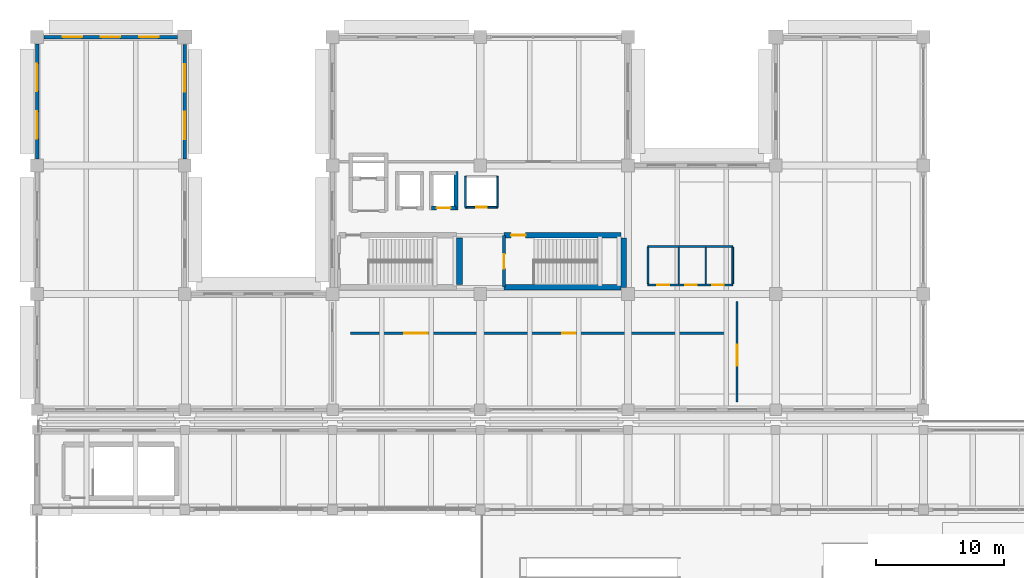
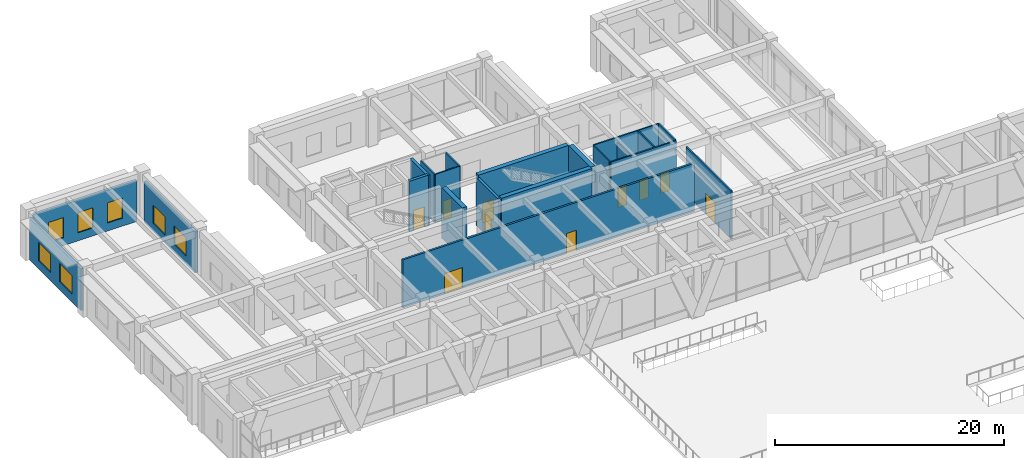
# One storey, part 128 of 148: 21 walls, 10 doors, 7 windows, 17 openings.
"""IFC4 building model written with IfcOpenShell, lengths in metres."""

from ifc_helpers import new_model, si_unit, direction, frame, frame_2d, origin, place, context, subcontext, project, spatial, rectangle, extrude, material, layer, layer_set, type_object, element, fill, save


model = new_model("IFC4")

# Units and contexts
model_context = context("Model", 3, precision=1e-05, world=origin(), true_north=direction((0.0, 1.0)))
body_context = subcontext(model_context, "Body", "Model", "MODEL_VIEW")
ifc_project = project(units=[si_unit("LENGTHUNIT", "METRE"), si_unit("AREAUNIT", "SQUARE_METRE"), si_unit("VOLUMEUNIT", "CUBIC_METRE"), si_unit("PLANEANGLEUNIT", "RADIAN"), si_unit("MASSUNIT", "GRAM", prefix="KILO")], contexts=[model_context])

# Site, building, storey
site_placement = place(None, origin())
site = spatial("IfcSite", under=ifc_project, at=site_placement, CompositionType="ELEMENT")
building_placement = place(site_placement, origin())
building = spatial("IfcBuilding", under=site, at=building_placement, Name="Ologun Quay Terminus", CompositionType="ELEMENT")
storey_placement = place(building_placement, frame((0.0, 0.0, 8.39990234375)))
storey = spatial("IfcBuildingStorey", under=building, at=storey_placement, Name="L02", CompositionType="ELEMENT", Elevation=8.39990234375)

# Wall, opening, door
ifc_material_1 = material(Name="Gypsum Acoustic Stud")
ifc_layer_1 = layer(ifc_material_1, 0.14990234375)
ifc_layer_set_1 = layer_set([ifc_layer_1], Name="Gypsum Acoustic Stud")
wall_type_1 = type_object("IfcWallType", Name="Community & Reading Room Partition 150", PredefinedType="PARTITIONING", material=ifc_layer_set_1)
wall_1_placement = place(storey_placement, frame((54.5, 86.39990234375, 0.0), z_axis=(0.0, 0.0, 1.0), x_axis=(0.0, 1.0, 0.0)))
wall_1 = element("IfcWall", 1, at=wall_1_placement, inside=storey, type_object=wall_type_1, Name="PW-05 Partition L02-CommHall-W", PredefinedType="PARTITIONING", context=body_context, shape_type="SweptSolid", body=[
    extrude(rectangle(XDim=7.800048828125, YDim=0.14990234375, at=frame_2d((3.89990234375, 0.0))), origin(), (0.0, 0.0, 1.0), 5.1201171875),
])
opening_1_placement = place(wall_1_placement, frame((2.800048828125, 0.0, 0.0)))
opening_1 = element("IfcOpeningElement", 2, at=opening_1_placement, cuts=wall_1, Name="Opening ID-316", PredefinedType="OPENING", context=body_context, shape_type="SweptSolid", body=[
    extrude(rectangle(XDim=1.64990234375, YDim=2.199951171875, at=frame_2d((0.824951171875, 1.10009765625))), frame((0.0, 0.0849609375, 0.0), z_axis=(0.0, -1.0, 0.0), x_axis=(1.0, 0.0, 0.0)), (0.0, 0.0, 1.0), 0.169921875),
])
ifc_material_2 = material(Name="Timber Hardwood", Category="wood")
door_type_1 = type_object("IfcDoorType", Name="Community Meeting Double Door 1650x2200", OperationType="DOUBLE_DOOR_SINGLE_SWING", PredefinedType="DOOR", material=ifc_material_2)
door_1_placement = place(opening_1_placement, origin())
door_1 = element("IfcDoor", 3, at=door_1_placement, inside=storey, type_object=door_type_1, Name="ID-03 Door ID-316", OperationType="DOUBLE_DOOR_SINGLE_SWING", OverallHeight=2.199951171875, OverallWidth=1.64990234375, PredefinedType="DOOR", context=body_context, shape_type="SweptSolid", body=[
    extrude(rectangle(XDim=1.64990234375, YDim=2.199951171875, at=frame_2d((0.824951171875, 1.10009765625))), frame((0.0, 0.02490234375, 0.0), z_axis=(0.0, -1.0, 0.0), x_axis=(1.0, 0.0, 0.0)), (0.0, 0.0, 1.0), 0.050048828125),
])
fill(opening_1, door_1)

# Wall, openings, doors
ifc_material_3 = material(Name="Concrete C40/50", Category="concrete")
ifc_layer_2 = layer(ifc_material_3, 0.199951171875)
ifc_layer_set_2 = layer_set([ifc_layer_2], Name="Concrete C40/50")
wall_type_2 = type_object("IfcWallType", Name="Corridor Fire-Rated Partition 200", PredefinedType="PARTITIONING", material=ifc_layer_set_2)
wall_2_placement = place(storey_placement, frame((24.39990234375, 91.75, 0.0), z_axis=(0.0, 0.0, 1.0), x_axis=(1.0, 0.0, 0.0)))
wall_2 = element("IfcWall", 4, at=wall_2_placement, inside=storey, type_object=wall_type_2, Name="PW-02 Partition WCor-S", PredefinedType="PARTITIONING", context=body_context, shape_type="SweptSolid", body=[
    extrude(rectangle(XDim=29.400146484375, YDim=0.199951171875, at=frame_2d((14.7001953125, 0.0))), origin(), (0.0, 0.0, 1.0), 5.1201171875),
])
opening_2_placement = place(wall_2_placement, frame((4.199951171875, 0.0, 0.0)))
opening_2 = element("IfcOpeningElement", 5, at=opening_2_placement, cuts=wall_2, Name="Opening ID-119", PredefinedType="OPENING", context=body_context, shape_type="SweptSolid", body=[
    extrude(rectangle(XDim=1.800048828125, YDim=2.199951171875, at=frame_2d((0.89990234375, 1.10009765625))), frame((0.0, 0.10986328125, 0.0), z_axis=(0.0, -1.0, 0.0), x_axis=(1.0, 0.0, 0.0)), (0.0, 0.0, 1.0), 0.219970703125),
])
opening_3_placement = place(wall_2_placement, frame((16.5, 0.0, 0.0)))
opening_3 = element("IfcOpeningElement", 6, at=opening_3_placement, cuts=wall_2, Name="Opening ID-120", PredefinedType="OPENING", context=body_context, shape_type="SweptSolid", body=[
    extrude(rectangle(XDim=0.97998046875, YDim=2.14990234375, at=frame_2d((0.489990234375, 1.074951171875))), frame((0.0, 0.10986328125, 0.0), z_axis=(0.0, -1.0, 0.0), x_axis=(1.0, 0.0, 0.0)), (0.0, 0.0, 1.0), 0.219970703125),
])
ifc_material_4 = material(Name="Steel S355", Category="steel")
door_type_2 = type_object("IfcDoorType", Name="Corridor Compartment Pair 1800x2200", OperationType="DOUBLE_DOOR_SINGLE_SWING", PredefinedType="DOOR", material=ifc_material_4)
door_2_placement = place(opening_2_placement, origin())
door_2 = element("IfcDoor", 7, at=door_2_placement, inside=storey, type_object=door_type_2, Name="FD-03 Door ID-119", OperationType="DOUBLE_DOOR_SINGLE_SWING", OverallHeight=2.199951171875, OverallWidth=1.800048828125, PredefinedType="DOOR", context=body_context, shape_type="SweptSolid", body=[
    extrude(rectangle(XDim=1.800048828125, YDim=2.199951171875, at=frame_2d((0.89990234375, 1.10009765625))), frame((0.0, 0.02490234375, 0.0), z_axis=(0.0, -1.0, 0.0), x_axis=(1.0, 0.0, 0.0)), (0.0, 0.0, 1.0), 0.050048828125),
])
fill(opening_2, door_2)
ifc_material_5 = material(Name="Timber Hardwood", Category="wood")
door_type_3 = type_object("IfcDoorType", Name="Operations Room Acoustic Leaf 980x2150", OperationType="SINGLE_SWING_LEFT", PredefinedType="DOOR", material=ifc_material_5)
door_3_placement = place(opening_3_placement, origin())
door_3 = element("IfcDoor", 8, at=door_3_placement, inside=storey, type_object=door_type_3, Name="ID-01 Door ID-120", OperationType="SINGLE_SWING_LEFT", OverallHeight=2.14990234375, OverallWidth=0.97998046875, PredefinedType="DOOR", context=body_context, shape_type="SweptSolid", body=[
    extrude(rectangle(XDim=0.97998046875, YDim=2.14990234375, at=frame_2d((0.489990234375, 1.074951171875))), frame((0.0, 0.02490234375, 0.0), z_axis=(0.0, -1.0, 0.0), x_axis=(1.0, 0.0, 0.0)), (0.0, 0.0, 1.0), 0.050048828125),
])
fill(opening_3, door_3)

# Walls
ifc_material_6 = material(Name="Concrete C45/55", Category="concrete")
ifc_layer_3 = layer(ifc_material_6, 0.449951171875)
ifc_layer_set_3 = layer_set([ifc_layer_3], Name="Concrete C45/55")
wall_type_3 = type_object("IfcWallType", Name="Coupled Wing Primary Core Shear Wall 450", PredefinedType="SHEAR", material=ifc_layer_set_3)
wall_3_placement = place(storey_placement, frame((32.875, 95.550048828125, 0.0), z_axis=(0.0, 0.0, 1.0), x_axis=(0.0, 1.0, 0.0)))
element("IfcWall", 9, at=wall_3_placement, inside=storey, type_object=wall_type_3, Name="WC1 Core East Shear Wall L02", PredefinedType="SHEAR", context=body_context, shape_type="SweptSolid", body=[
    extrude(rectangle(XDim=3.599853515625, YDim=0.449951171875, at=frame_2d((1.7998046875, 0.0))), origin(), (0.0, 0.0, 1.0), 5.400146484375),
])
wall_4_placement = place(storey_placement, frame((36.35009765625, 95.324951171875, 0.0), z_axis=(0.0, 0.0, 1.0), x_axis=(1.0, 0.0, 0.0)))
element("IfcWall", 10, at=wall_4_placement, inside=storey, type_object=wall_type_3, Name="WC2 Core South Shear Wall L02", PredefinedType="SHEAR", context=body_context, shape_type="SweptSolid", body=[
    extrude(rectangle(XDim=9.099853515625, YDim=0.449951171875, at=frame_2d((4.5498046875, 0.0))), origin(), (0.0, 0.0, 1.0), 5.400146484375),
])

# Wall, opening, door
wall_5_placement = place(storey_placement, frame((36.35009765625, 99.375, 0.0), z_axis=(0.0, 0.0, 1.0), x_axis=(1.0, 0.0, 0.0)))
wall_5 = element("IfcWall", 11, at=wall_5_placement, inside=storey, type_object=wall_type_3, Name="WC2 Core North Shear Wall L02", PredefinedType="SHEAR", context=body_context, shape_type="SweptSolid", body=[
    extrude(rectangle(XDim=9.099853515625, YDim=0.449951171875, at=frame_2d((4.5498046875, 0.0))), origin(), (0.0, 0.0, 1.0), 5.400146484375),
])
opening_4_placement = place(wall_5_placement, frame((0.550048828125, 0.0, 0.0)))
opening_4 = element("IfcOpeningElement", 12, at=opening_4_placement, cuts=wall_5, Name="Opening ID-113", PredefinedType="OPENING", context=body_context, shape_type="SweptSolid", body=[
    extrude(rectangle(XDim=1.1298828125, YDim=2.14990234375, at=frame_2d((0.56494140625, 1.074951171875))), frame((0.0, 0.23486328125, 0.0), z_axis=(0.0, -1.0, 0.0), x_axis=(1.0, 0.0, 0.0)), (0.0, 0.0, 1.0), 0.469970703125),
])
ifc_material_7 = material(Name="Steel S355", Category="steel")
door_type_4 = type_object("IfcDoorType", Name="Stairwell Fire Escape Door 1130x2150", OperationType="SINGLE_SWING_LEFT", PredefinedType="DOOR", material=ifc_material_7)
door_4_placement = place(opening_4_placement, frame((0.56494140625, 0.0, 0.0), z_axis=(0.0, 0.0, 1.0), x_axis=(-1.0, 0.0, 0.0)))
door_4 = element("IfcDoor", 13, at=door_4_placement, inside=storey, type_object=door_type_4, Name="FD-01 Door ID-113", OperationType="SINGLE_SWING_LEFT", OverallHeight=2.14990234375, OverallWidth=1.1298828125, PredefinedType="DOOR", context=body_context, shape_type="SweptSolid", body=[
    extrude(rectangle(XDim=1.1298828125, YDim=2.14990234375, at=frame_2d((0.0, 1.074951171875))), frame((0.0, 0.02490234375, 0.0), z_axis=(0.0, -1.0, 0.0), x_axis=(1.0, 0.0, 0.0)), (0.0, 0.0, 1.0), 0.050048828125),
])
fill(opening_4, door_4)

# Wall
wall_6_placement = place(storey_placement, frame((45.675048828125, 95.320068359375, 0.0), z_axis=(0.0, 0.0, 1.0), x_axis=(0.0, 1.0, 0.0)))
element("IfcWall", 14, at=wall_6_placement, inside=storey, type_object=wall_type_3, Name="WC2 Core East Shear Wall L02", PredefinedType="SHEAR", context=body_context, shape_type="SweptSolid", body=[
    extrude(rectangle(XDim=3.829833984375, YDim=0.449951171875, at=frame_2d((1.9150390625, 0.0))), origin(), (0.0, 0.0, 1.0), 5.400146484375),
])

# Wall, openings, windows
ifc_material_8 = material(Name="Concrete C40/50", Category="concrete")
ifc_layer_4 = layer(ifc_material_8, 0.280029296875)
ifc_layer_set_4 = layer_set([ifc_layer_4], Name="Concrete C40/50")
wall_type_4 = type_object("IfcWallType", Name="Courtyard Wing Spandrel Concrete Wall 280", PredefinedType="SOLIDWALL", material=ifc_layer_set_4)
wall_7_placement = place(storey_placement, frame((11.5, 105.320068359375, 0.0), z_axis=(0.0, 0.0, 1.0), x_axis=(0.0, 1.0, 0.0)))
wall_7 = element("IfcWall", 15, at=wall_7_placement, inside=storey, type_object=wall_type_4, Name="EW-02 Facade Wall WEW-WW-O-L02-20", PredefinedType="SOLIDWALL", context=body_context, shape_type="SweptSolid", body=[
    extrude(rectangle(XDim=8.909912109375, YDim=0.280029296875, at=frame_2d((4.455078125, 0.0))), origin(), (0.0, 0.0, 1.0), 4.35009765625),
])
opening_5_placement = place(wall_7_placement, frame((1.53662109375, 0.0, 0.85009765625)))
opening_5 = element("IfcOpeningElement", 16, at=opening_5_placement, cuts=wall_7, Name="Opening WN-275", PredefinedType="OPENING", context=body_context, shape_type="SweptSolid", body=[
    extrude(rectangle(XDim=2.14990234375, YDim=1.949951171875, at=frame_2d((1.074951171875, 0.97509765625))), frame((0.0, 0.14990234375, 0.0), z_axis=(0.0, -1.0, 0.0), x_axis=(1.0, 0.0, 0.0)), (0.0, 0.0, 1.0), 0.300048828125),
])
opening_6_placement = place(wall_7_placement, frame((5.223388671875, 0.0, 0.85009765625)))
opening_6 = element("IfcOpeningElement", 17, at=opening_6_placement, cuts=wall_7, Name="Opening WN-276", PredefinedType="OPENING", context=body_context, shape_type="SweptSolid", body=[
    extrude(rectangle(XDim=2.14990234375, YDim=1.949951171875, at=frame_2d((1.074951171875, 0.97509765625))), frame((0.0, 0.14990234375, 0.0), z_axis=(0.0, -1.0, 0.0), x_axis=(1.0, 0.0, 0.0)), (0.0, 0.0, 1.0), 0.300048828125),
])
ifc_material_9 = material(Name="Glass", Category="glass")
window_type_1 = type_object("IfcWindowType", Name="Courtyard Loggia Window 2150x1950", PartitioningType="SINGLE_PANEL", PredefinedType="WINDOW", material=ifc_material_9)
window_1_placement = place(opening_5_placement, origin())
window_1 = element("IfcWindow", 18, at=window_1_placement, inside=storey, type_object=window_type_1, Name="W-37 Window WN-275", OverallHeight=1.949951171875, OverallWidth=2.14990234375, PartitioningType="SINGLE_PANEL", PredefinedType="WINDOW", context=body_context, shape_type="SweptSolid", body=[
    extrude(rectangle(XDim=2.14990234375, YDim=1.949951171875, at=frame_2d((1.074951171875, 0.97509765625))), frame((0.0, 0.030029296875, 0.0), z_axis=(0.0, -1.0, 0.0), x_axis=(1.0, 0.0, 0.0)), (0.0, 0.0, 1.0), 0.06005859375),
])
fill(opening_5, window_1)
window_2_placement = place(opening_6_placement, origin())
window_2 = element("IfcWindow", 19, at=window_2_placement, inside=storey, type_object=window_type_1, Name="W-37 Window WN-276", OverallHeight=1.949951171875, OverallWidth=2.14990234375, PartitioningType="SINGLE_PANEL", PredefinedType="WINDOW", context=body_context, shape_type="SweptSolid", body=[
    extrude(rectangle(XDim=2.14990234375, YDim=1.949951171875, at=frame_2d((1.074951171875, 0.97509765625))), frame((0.0, 0.030029296875, 0.0), z_axis=(0.0, -1.0, 0.0), x_axis=(1.0, 0.0, 0.0)), (0.0, 0.0, 1.0), 0.06005859375),
])
fill(opening_6, window_2)

wall_8_placement = place(storey_placement, frame((0.52001953125, 114.800048828125, 0.0), z_axis=(0.0, 0.0, 1.0), x_axis=(1.0, 0.0, 0.0)))
wall_8 = element("IfcWall", 20, at=wall_8_placement, inside=storey, type_object=wall_type_4, Name="EW-02 Facade Wall WEW-WW-N-L02-21", PredefinedType="SOLIDWALL", context=body_context, shape_type="SweptSolid", body=[
    extrude(rectangle(XDim=10.409912109375, YDim=0.280029296875, at=frame_2d((5.205078125, 0.0))), origin(), (0.0, 0.0, 1.0), 4.35009765625),
])
opening_7_placement = place(wall_8_placement, frame((1.4775390625, 0.0, 0.85009765625)))
opening_7 = element("IfcOpeningElement", 21, at=opening_7_placement, cuts=wall_8, Name="Opening WN-277", PredefinedType="OPENING", context=body_context, shape_type="SweptSolid", body=[
    extrude(rectangle(XDim=1.5, YDim=2.14990234375, at=frame_2d((0.75, 1.074951171875))), frame((0.0, 0.14990234375, 0.0), z_axis=(0.0, -1.0, 0.0), x_axis=(1.0, 0.0, 0.0)), (0.0, 0.0, 1.0), 0.300048828125),
])
opening_8_placement = place(wall_8_placement, frame((4.455078125, 0.0, 0.85009765625)))
opening_8 = element("IfcOpeningElement", 22, at=opening_8_placement, cuts=wall_8, Name="Opening WN-278", PredefinedType="OPENING", context=body_context, shape_type="SweptSolid", body=[
    extrude(rectangle(XDim=1.5, YDim=2.14990234375, at=frame_2d((0.75, 1.074951171875))), frame((0.0, 0.14990234375, 0.0), z_axis=(0.0, -1.0, 0.0), x_axis=(1.0, 0.0, 0.0)), (0.0, 0.0, 1.0), 0.300048828125),
])
opening_9_placement = place(wall_8_placement, frame((7.4326171875, 0.0, 0.85009765625)))
opening_9 = element("IfcOpeningElement", 23, at=opening_9_placement, cuts=wall_8, Name="Opening WN-279", PredefinedType="OPENING", context=body_context, shape_type="SweptSolid", body=[
    extrude(rectangle(XDim=1.5, YDim=2.14990234375, at=frame_2d((0.75, 1.074951171875))), frame((0.0, 0.14990234375, 0.0), z_axis=(0.0, -1.0, 0.0), x_axis=(1.0, 0.0, 0.0)), (0.0, 0.0, 1.0), 0.300048828125),
])
ifc_material_10 = material(Name="Glass", Category="glass")
window_type_2 = type_object("IfcWindowType", Name="Community Hall Tall Window 1500x2150", PartitioningType="SINGLE_PANEL", PredefinedType="WINDOW", material=ifc_material_10)
window_3_placement = place(opening_7_placement, origin())
window_3 = element("IfcWindow", 24, at=window_3_placement, inside=storey, type_object=window_type_2, Name="W-14 Window WN-277", OverallHeight=2.14990234375, OverallWidth=1.5, PartitioningType="SINGLE_PANEL", PredefinedType="WINDOW", context=body_context, shape_type="SweptSolid", body=[
    extrude(rectangle(XDim=1.5, YDim=2.14990234375, at=frame_2d((0.75, 1.074951171875))), frame((0.0, 0.030029296875, 0.0), z_axis=(0.0, -1.0, 0.0), x_axis=(1.0, 0.0, 0.0)), (0.0, 0.0, 1.0), 0.06005859375),
])
fill(opening_7, window_3)
window_4_placement = place(opening_8_placement, origin())
window_4 = element("IfcWindow", 25, at=window_4_placement, inside=storey, type_object=window_type_2, Name="W-14 Window WN-278", OverallHeight=2.14990234375, OverallWidth=1.5, PartitioningType="SINGLE_PANEL", PredefinedType="WINDOW", context=body_context, shape_type="SweptSolid", body=[
    extrude(rectangle(XDim=1.5, YDim=2.14990234375, at=frame_2d((0.75, 1.074951171875))), frame((0.0, 0.030029296875, 0.0), z_axis=(0.0, -1.0, 0.0), x_axis=(1.0, 0.0, 0.0)), (0.0, 0.0, 1.0), 0.06005859375),
])
fill(opening_8, window_4)
window_5_placement = place(opening_9_placement, origin())
window_5 = element("IfcWindow", 26, at=window_5_placement, inside=storey, type_object=window_type_2, Name="W-14 Window WN-279", OverallHeight=2.14990234375, OverallWidth=1.5, PartitioningType="SINGLE_PANEL", PredefinedType="WINDOW", context=body_context, shape_type="SweptSolid", body=[
    extrude(rectangle(XDim=1.5, YDim=2.14990234375, at=frame_2d((0.75, 1.074951171875))), frame((0.0, 0.030029296875, 0.0), z_axis=(0.0, -1.0, 0.0), x_axis=(1.0, 0.0, 0.0)), (0.0, 0.0, 1.0), 0.06005859375),
])
fill(opening_9, window_5)

wall_9_placement = place(storey_placement, frame((0.0, 105.320068359375, 0.0), z_axis=(0.0, 0.0, 1.0), x_axis=(0.0, 1.0, 0.0)))
wall_9 = element("IfcWall", 27, at=wall_9_placement, inside=storey, type_object=wall_type_4, Name="EW-02 Facade Wall WEW-WW-O-L02-24", PredefinedType="SOLIDWALL", context=body_context, shape_type="SweptSolid", body=[
    extrude(rectangle(XDim=8.9599609375, YDim=0.280029296875, at=frame_2d((4.47998046875, 0.0))), origin(), (0.0, 0.0, 1.0), 4.4501953125),
])
opening_10_placement = place(wall_9_placement, frame((1.55322265625, 0.0, 0.85009765625)))
opening_10 = element("IfcOpeningElement", 28, at=opening_10_placement, cuts=wall_9, Name="Opening WN-284", PredefinedType="OPENING", context=body_context, shape_type="SweptSolid", body=[
    extrude(rectangle(XDim=2.14990234375, YDim=1.949951171875, at=frame_2d((1.074951171875, 0.97509765625))), frame((0.0, 0.14990234375, 0.0), z_axis=(0.0, -1.0, 0.0), x_axis=(1.0, 0.0, 0.0)), (0.0, 0.0, 1.0), 0.300048828125),
])
opening_11_placement = place(wall_9_placement, frame((5.256591796875, 0.0, 0.85009765625)))
opening_11 = element("IfcOpeningElement", 29, at=opening_11_placement, cuts=wall_9, Name="Opening WN-285", PredefinedType="OPENING", context=body_context, shape_type="SweptSolid", body=[
    extrude(rectangle(XDim=2.14990234375, YDim=1.949951171875, at=frame_2d((1.074951171875, 0.97509765625))), frame((0.0, 0.14990234375, 0.0), z_axis=(0.0, -1.0, 0.0), x_axis=(1.0, 0.0, 0.0)), (0.0, 0.0, 1.0), 0.300048828125),
])
window_6_placement = place(opening_10_placement, origin())
window_6 = element("IfcWindow", 30, at=window_6_placement, inside=storey, type_object=window_type_1, Name="W-37 Window WN-284", OverallHeight=1.949951171875, OverallWidth=2.14990234375, PartitioningType="SINGLE_PANEL", PredefinedType="WINDOW", context=body_context, shape_type="SweptSolid", body=[
    extrude(rectangle(XDim=2.14990234375, YDim=1.949951171875, at=frame_2d((1.074951171875, 0.97509765625))), frame((0.0, 0.030029296875, 0.0), z_axis=(0.0, -1.0, 0.0), x_axis=(1.0, 0.0, 0.0)), (0.0, 0.0, 1.0), 0.06005859375),
])
fill(opening_10, window_6)
window_7_placement = place(opening_11_placement, origin())
window_7 = element("IfcWindow", 31, at=window_7_placement, inside=storey, type_object=window_type_1, Name="W-37 Window WN-285", OverallHeight=1.949951171875, OverallWidth=2.14990234375, PartitioningType="SINGLE_PANEL", PredefinedType="WINDOW", context=body_context, shape_type="SweptSolid", body=[
    extrude(rectangle(XDim=2.14990234375, YDim=1.949951171875, at=frame_2d((1.074951171875, 0.97509765625))), frame((0.0, 0.030029296875, 0.0), z_axis=(0.0, -1.0, 0.0), x_axis=(1.0, 0.0, 0.0)), (0.0, 0.0, 1.0), 0.06005859375),
])
fill(opening_11, window_7)

# Wall, opening, door
ifc_material_11 = material(Name="Concrete C40/50", Category="concrete")
ifc_layer_5 = layer(ifc_material_11, 0.239990234375)
ifc_layer_set_5 = layer_set([ifc_layer_5], Name="Concrete C40/50")
wall_type_5 = type_object("IfcWallType", Name="Fire Compartment Blockwork Wall 240", PredefinedType="SOLIDWALL", material=ifc_layer_set_5)
wall_10_placement = place(storey_placement, frame((36.35009765625, 95.330078125, 0.0), z_axis=(0.0, 0.0, 1.0), x_axis=(0.0, 1.0, 0.0)))
wall_10 = element("IfcWall", 32, at=wall_10_placement, inside=storey, type_object=wall_type_5, Name="PW-01 Partition WStair2-W", PredefinedType="SOLIDWALL", context=body_context, shape_type="SweptSolid", body=[
    extrude(rectangle(XDim=4.0400390625, YDim=0.239990234375, at=frame_2d((2.02001953125, 0.0))), origin(), (0.0, 0.0, 1.0), 5.1201171875),
])
opening_12_placement = place(wall_10_placement, frame((1.449951171875, 0.0, 0.0)))
opening_12 = element("IfcOpeningElement", 33, at=opening_12_placement, cuts=wall_10, Name="Opening ID-112", PredefinedType="OPENING", context=body_context, shape_type="SweptSolid", body=[
    extrude(rectangle(XDim=1.1298828125, YDim=2.14990234375, at=frame_2d((0.56494140625, 1.074951171875))), frame((0.0, 0.1298828125, 0.0), z_axis=(0.0, -1.0, 0.0), x_axis=(1.0, 0.0, 0.0)), (0.0, 0.0, 1.0), 0.260009765625),
])
door_5_placement = place(opening_12_placement, frame((0.56494140625, 0.0, 0.0), z_axis=(0.0, 0.0, 1.0), x_axis=(-1.0, 0.0, 0.0)))
door_5 = element("IfcDoor", 34, at=door_5_placement, inside=storey, type_object=door_type_4, Name="FD-01 Door ID-112", OperationType="SINGLE_SWING_LEFT", OverallHeight=2.14990234375, OverallWidth=1.1298828125, PredefinedType="DOOR", context=body_context, shape_type="SweptSolid", body=[
    extrude(rectangle(XDim=1.1298828125, YDim=2.14990234375, at=frame_2d((0.0, 1.074951171875))), frame((0.0, 0.02490234375, 0.0), z_axis=(0.0, -1.0, 0.0), x_axis=(1.0, 0.0, 0.0)), (0.0, 0.0, 1.0), 0.050048828125),
])
fill(opening_12, door_5)

ifc_material_12 = material(Name="Concrete C40/50", Category="concrete")
ifc_layer_6 = layer(ifc_material_12, 0.300048828125)
ifc_layer_set_6 = layer_set([ifc_layer_6], Name="Concrete C40/50")
wall_type_6 = type_object("IfcWallType", Name="Lift Shaft Structural Shear Wall 300", PredefinedType="SHEAR", material=ifc_layer_set_6)
wall_11_placement = place(storey_placement, frame((30.699951171875, 101.5, 0.0), z_axis=(0.0, 0.0, 1.0), x_axis=(1.0, 0.0, 0.0)))
wall_11 = element("IfcWall", 35, at=wall_11_placement, inside=storey, type_object=wall_type_6, Name="Lift PL-W2 Shaft Wall S L02", PredefinedType="SHEAR", context=body_context, shape_type="SweptSolid", body=[
    extrude(rectangle(XDim=1.900146484375, YDim=0.300048828125, at=frame_2d((0.9501953125, 0.0))), origin(), (0.0, 0.0, 1.0), 5.400146484375),
])
opening_13_placement = place(wall_11_placement, frame((0.39990234375, 0.0, 0.0)))
opening_13 = element("IfcOpeningElement", 36, at=opening_13_placement, cuts=wall_11, Name="Opening ID-027", PredefinedType="OPENING", context=body_context, shape_type="SweptSolid", body=[
    extrude(rectangle(XDim=1.10009765625, YDim=2.14990234375, at=frame_2d((0.550048828125, 1.074951171875))), frame((0.0, 0.16015625, 0.0), z_axis=(0.0, -1.0, 0.0), x_axis=(1.0, 0.0, 0.0)), (0.0, 0.0, 1.0), 0.320068359375),
])
ifc_material_13 = material(Name="Steel S355", Category="steel")
door_type_5 = type_object("IfcDoorType", Name="Lift Landing Sliding Door 1100x2150", OperationType="SLIDING_TO_LEFT", PredefinedType="DOOR", material=ifc_material_13)
door_6_placement = place(opening_13_placement, origin())
door_6 = element("IfcDoor", 37, at=door_6_placement, inside=storey, type_object=door_type_5, Name="LD-01 Door ID-027", OperationType="SLIDING_TO_LEFT", OverallHeight=2.14990234375, OverallWidth=1.10009765625, PredefinedType="DOOR", context=body_context, shape_type="SweptSolid", body=[
    extrude(rectangle(XDim=1.10009765625, YDim=2.14990234375, at=frame_2d((0.550048828125, 1.074951171875))), frame((0.0, 0.02490234375, 0.0), z_axis=(0.0, -1.0, 0.0), x_axis=(1.0, 0.0, 0.0)), (0.0, 0.0, 1.0), 0.050048828125),
])
fill(opening_13, door_6)

# Walls
wall_12_placement = place(storey_placement, frame((32.60009765625, 101.35009765625, 0.0), z_axis=(0.0, 0.0, 1.0), x_axis=(0.0, 1.0, 0.0)))
element("IfcWall", 38, at=wall_12_placement, inside=storey, type_object=wall_type_6, Name="Lift PL-W2 Shaft Wall E L02", PredefinedType="SHEAR", context=body_context, shape_type="SweptSolid", body=[
    extrude(rectangle(XDim=3.0, YDim=0.300048828125, at=frame_2d((1.5, 0.0))), origin(), (0.0, 0.0, 1.0), 5.400146484375),
])
ifc_material_14 = material(Name="Gypsum Acoustic Stud")
ifc_layer_7 = layer(ifc_material_14, 0.10498046875)
ifc_layer_set_7 = layer_set([ifc_layer_7], Name="Gypsum Acoustic Stud")
wall_type_7 = type_object("IfcWallType", Name="Light Cubicle Partition 105", PredefinedType="PARTITIONING", material=ifc_layer_set_7)
wall_13_placement = place(storey_placement, frame((49.949951171875, 95.60009765625, 0.0), z_axis=(0.0, 0.0, 1.0), x_axis=(0.0, 1.0, 0.0)))
element("IfcWall", 39, at=wall_13_placement, inside=storey, type_object=wall_type_7, Name="PW-13 Partition WWC-D1", PredefinedType="PARTITIONING", context=body_context, shape_type="SweptSolid", body=[
    extrude(rectangle(XDim=2.849853515625, YDim=0.10498046875, at=frame_2d((1.4248046875, 0.0))), origin(), (0.0, 0.0, 1.0), 4.60009765625),
])
wall_14_placement = place(storey_placement, frame((52.050048828125, 95.60009765625, 0.0), z_axis=(0.0, 0.0, 1.0), x_axis=(0.0, 1.0, 0.0)))
element("IfcWall", 40, at=wall_14_placement, inside=storey, type_object=wall_type_7, Name="PW-13 Partition WWC-D2", PredefinedType="PARTITIONING", context=body_context, shape_type="SweptSolid", body=[
    extrude(rectangle(XDim=2.849853515625, YDim=0.10498046875, at=frame_2d((1.4248046875, 0.0))), origin(), (0.0, 0.0, 1.0), 5.1201171875),
])

# Wall, opening, door
ifc_material_15 = material(Name="Concrete C40/50", Category="concrete")
ifc_layer_8 = layer(ifc_material_15, 0.1298828125)
ifc_layer_set_8 = layer_set([ifc_layer_8], Name="Concrete C40/50")
wall_type_8 = type_object("IfcWallType", Name="Riser & Service Duct Wall 130", PredefinedType="PLUMBINGWALL", material=ifc_layer_set_8)
wall_15_placement = place(storey_placement, frame((33.35009765625, 101.550048828125, 0.0), z_axis=(0.0, 0.0, 1.0), x_axis=(1.0, 0.0, 0.0)))
wall_15 = element("IfcWall", 41, at=wall_15_placement, inside=storey, type_object=wall_type_8, Name="PW-07 Partition WRiser-S", PredefinedType="PLUMBINGWALL", context=body_context, shape_type="SweptSolid", body=[
    extrude(rectangle(XDim=2.5, YDim=0.1298828125, at=frame_2d((1.25, 0.0))), origin(), (0.0, 0.0, 1.0), 5.1201171875),
])
opening_14_placement = place(wall_15_placement, frame((0.820068359375, 0.0, 0.0)))
opening_14 = element("IfcOpeningElement", 42, at=opening_14_placement, cuts=wall_15, Name="Opening ID-115", PredefinedType="OPENING", context=body_context, shape_type="SweptSolid", body=[
    extrude(rectangle(XDim=0.85009765625, YDim=2.0, at=frame_2d((0.425048828125, 1.0))), frame((0.0, 0.074951171875, 0.0), z_axis=(0.0, -1.0, 0.0), x_axis=(1.0, 0.0, 0.0)), (0.0, 0.0, 1.0), 0.14990234375),
])
ifc_material_16 = material(Name="Steel S355", Category="steel")
door_type_6 = type_object("IfcDoorType", Name="MEP Riser Access Trapdoor 850x2000", OperationType="SINGLE_SWING_LEFT", PredefinedType="TRAPDOOR", material=ifc_material_16)
door_7_placement = place(opening_14_placement, origin())
door_7 = element("IfcDoor", 43, at=door_7_placement, inside=storey, type_object=door_type_6, Name="RD-01 Door ID-115", OperationType="SINGLE_SWING_LEFT", OverallHeight=2.0, OverallWidth=0.85009765625, PredefinedType="TRAPDOOR", context=body_context, shape_type="SweptSolid", body=[
    extrude(rectangle(XDim=0.85009765625, YDim=2.0, at=frame_2d((0.425048828125, 1.0))), frame((0.0, 0.02490234375, 0.0), z_axis=(0.0, -1.0, 0.0), x_axis=(1.0, 0.0, 0.0)), (0.0, 0.0, 1.0), 0.050048828125),
])
fill(opening_14, door_7)

# Walls
for number, where, z_axis, x_axis, name in (
    (44, (33.35009765625, 101.550048828125, 0.0), (0.0, 0.0, 1.0), (0.0, 1.0, 0.0), "PW-07 Partition WRiser-W"),
    (45, (35.85009765625, 101.550048828125, 0.0), (0.0, 0.0, 1.0), (0.0, 1.0, 0.0), "PW-07 Partition WRiser-E"),
):
    element("IfcWall", number, at=place(storey_placement, frame(where, z_axis=z_axis, x_axis=x_axis)), inside=storey, type_object=wall_type_8, Name=name, PredefinedType="PLUMBINGWALL", context=body_context, shape_type="SweptSolid", body=[
        extrude(rectangle(XDim=2.39990234375, YDim=0.1298828125, at=frame_2d((1.199951171875, 0.0))), origin(), (0.0, 0.0, 1.0), 5.1201171875),
    ])

# Wall, openings, doors
ifc_material_17 = material(Name="Concrete C40/50", Category="concrete")
ifc_layer_9 = layer(ifc_material_17, 0.139892578125)
ifc_layer_set_9 = layer_set([ifc_layer_9], Name="Concrete C40/50")
wall_type_9 = type_object("IfcWallType", Name="Sanitary Wet-Area Blockwork Wall 140", PredefinedType="PLUMBINGWALL", material=ifc_layer_set_9)
wall_16_placement = place(storey_placement, frame((47.550048828125, 95.5, 0.0), z_axis=(0.0, 0.0, 1.0), x_axis=(1.0, 0.0, 0.0)))
wall_16 = element("IfcWall", 46, at=wall_16_placement, inside=storey, type_object=wall_type_9, Name="PW-06 Partition WWC-S", PredefinedType="PLUMBINGWALL", context=body_context, shape_type="SweptSolid", body=[
    extrude(rectangle(XDim=6.599853515625, YDim=0.139892578125, at=frame_2d((3.2998046875, 0.0))), origin(), (0.0, 0.0, 1.0), 5.1201171875),
])
opening_15_placement = place(wall_16_placement, frame((0.719970703125, 0.0, 0.0)))
opening_15 = element("IfcOpeningElement", 47, at=opening_15_placement, cuts=wall_16, Name="Opening ID-116", PredefinedType="OPENING", context=body_context, shape_type="SweptSolid", body=[
    extrude(rectangle(XDim=0.949951171875, YDim=2.10009765625, at=frame_2d((0.47509765625, 1.050048828125))), frame((0.0, 0.080078125, 0.0), z_axis=(0.0, -1.0, 0.0), x_axis=(1.0, 0.0, 0.0)), (0.0, 0.0, 1.0), 0.159912109375),
])
opening_16_placement = place(wall_16_placement, frame((2.89990234375, 0.0, 0.0)))
opening_16 = element("IfcOpeningElement", 48, at=opening_16_placement, cuts=wall_16, Name="Opening ID-117", PredefinedType="OPENING", context=body_context, shape_type="SweptSolid", body=[
    extrude(rectangle(XDim=0.919921875, YDim=2.10009765625, at=frame_2d((0.4599609375, 1.050048828125))), frame((0.0, 0.080078125, 0.0), z_axis=(0.0, -1.0, 0.0), x_axis=(1.0, 0.0, 0.0)), (0.0, 0.0, 1.0), 0.159912109375),
])
opening_17_placement = place(wall_16_placement, frame((5.0, 0.0, 0.0)))
opening_17 = element("IfcOpeningElement", 49, at=opening_17_placement, cuts=wall_16, Name="Opening ID-118", PredefinedType="OPENING", context=body_context, shape_type="SweptSolid", body=[
    extrude(rectangle(XDim=0.919921875, YDim=2.10009765625, at=frame_2d((0.4599609375, 1.050048828125))), frame((0.0, 0.080078125, 0.0), z_axis=(0.0, -1.0, 0.0), x_axis=(1.0, 0.0, 0.0)), (0.0, 0.0, 1.0), 0.159912109375),
])
ifc_material_18 = material(Name="Timber Hardwood", Category="wood")
door_type_7 = type_object("IfcDoorType", Name="Accessible WC Outward-Swing Door 950x2100", OperationType="SINGLE_SWING_LEFT", PredefinedType="DOOR", material=ifc_material_18)
door_8_placement = place(opening_15_placement, frame((0.47509765625, 0.0, 0.0), z_axis=(0.0, 0.0, 1.0), x_axis=(-1.0, 0.0, 0.0)))
door_8 = element("IfcDoor", 50, at=door_8_placement, inside=storey, type_object=door_type_7, Name="ID-04 Door ID-116", OperationType="SINGLE_SWING_LEFT", OverallHeight=2.10009765625, OverallWidth=0.949951171875, PredefinedType="DOOR", context=body_context, shape_type="SweptSolid", body=[
    extrude(rectangle(XDim=0.949951171875, YDim=2.10009765625, at=frame_2d((0.0, 1.050048828125))), frame((0.0, 0.02490234375, 0.0), z_axis=(0.0, -1.0, 0.0), x_axis=(1.0, 0.0, 0.0)), (0.0, 0.0, 1.0), 0.050048828125),
])
fill(opening_15, door_8)
ifc_material_19 = material(Name="Timber Hardwood", Category="wood")
door_type_8 = type_object("IfcDoorType", Name="Sanitary Block Entrance Door 920x2100", OperationType="SINGLE_SWING_RIGHT", PredefinedType="DOOR", material=ifc_material_19)
door_9_placement = place(opening_16_placement, origin())
door_9 = element("IfcDoor", 51, at=door_9_placement, inside=storey, type_object=door_type_8, Name="ID-05 Door ID-117", OperationType="SINGLE_SWING_RIGHT", OverallHeight=2.10009765625, OverallWidth=0.919921875, PredefinedType="DOOR", context=body_context, shape_type="SweptSolid", body=[
    extrude(rectangle(XDim=0.919921875, YDim=2.10009765625, at=frame_2d((0.4599609375, 1.050048828125))), frame((0.0, 0.02490234375, 0.0), z_axis=(0.0, -1.0, 0.0), x_axis=(1.0, 0.0, 0.0)), (0.0, 0.0, 1.0), 0.050048828125),
])
fill(opening_16, door_9)
door_10_placement = place(opening_17_placement, origin())
door_10 = element("IfcDoor", 52, at=door_10_placement, inside=storey, type_object=door_type_8, Name="ID-05 Door ID-118", OperationType="SINGLE_SWING_RIGHT", OverallHeight=2.10009765625, OverallWidth=0.919921875, PredefinedType="DOOR", context=body_context, shape_type="SweptSolid", body=[
    extrude(rectangle(XDim=0.919921875, YDim=2.10009765625, at=frame_2d((0.4599609375, 1.050048828125))), frame((0.0, 0.02490234375, 0.0), z_axis=(0.0, -1.0, 0.0), x_axis=(1.0, 0.0, 0.0)), (0.0, 0.0, 1.0), 0.050048828125),
])
fill(opening_17, door_10)

# Walls
for number, where, z_axis, x_axis, name in (
    (53, (47.550048828125, 95.60009765625, 0.0), (0.0, 0.0, 1.0), (0.0, 1.0, 0.0), "PW-06 Partition WWC-W"),
    (54, (54.14990234375, 95.60009765625, 0.0), (0.0, 0.0, 1.0), (0.0, 1.0, 0.0), "PW-06 Partition WWC-E"),
):
    element("IfcWall", number, at=place(storey_placement, frame(where, z_axis=z_axis, x_axis=x_axis)), inside=storey, type_object=wall_type_9, Name=name, PredefinedType="PLUMBINGWALL", context=body_context, shape_type="SweptSolid", body=[
        extrude(rectangle(XDim=2.849853515625, YDim=0.139892578125, at=frame_2d((1.4248046875, 0.0))), origin(), (0.0, 0.0, 1.0), 5.1201171875),
    ])
wall_17_placement = place(storey_placement, frame((47.550048828125, 98.5, 0.0), z_axis=(0.0, 0.0, 1.0), x_axis=(1.0, 0.0, 0.0)))
element("IfcWall", 55, at=wall_17_placement, inside=storey, type_object=wall_type_9, Name="PW-06 Partition WWC-N", PredefinedType="PLUMBINGWALL", context=body_context, shape_type="SweptSolid", body=[
    extrude(rectangle(XDim=6.599853515625, YDim=0.139892578125, at=frame_2d((3.2998046875, 0.0))), origin(), (0.0, 0.0, 1.0), 5.1201171875),
])

save(model, "model.ifc")
